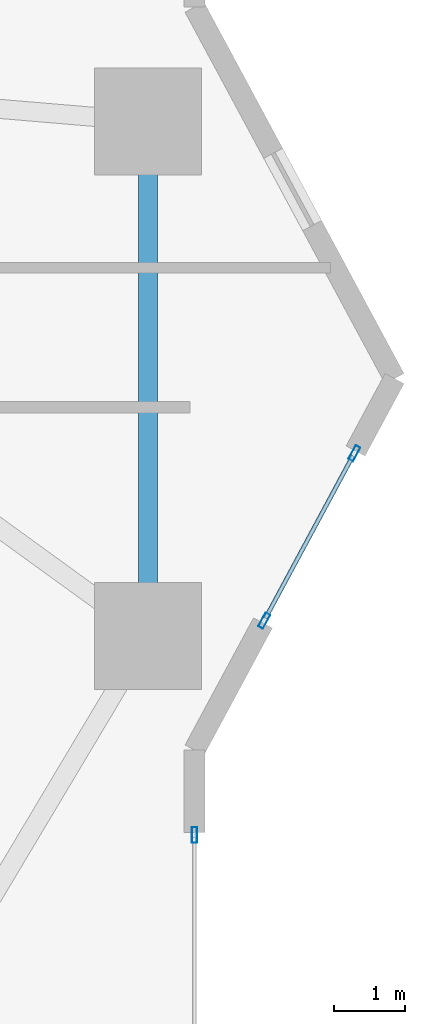
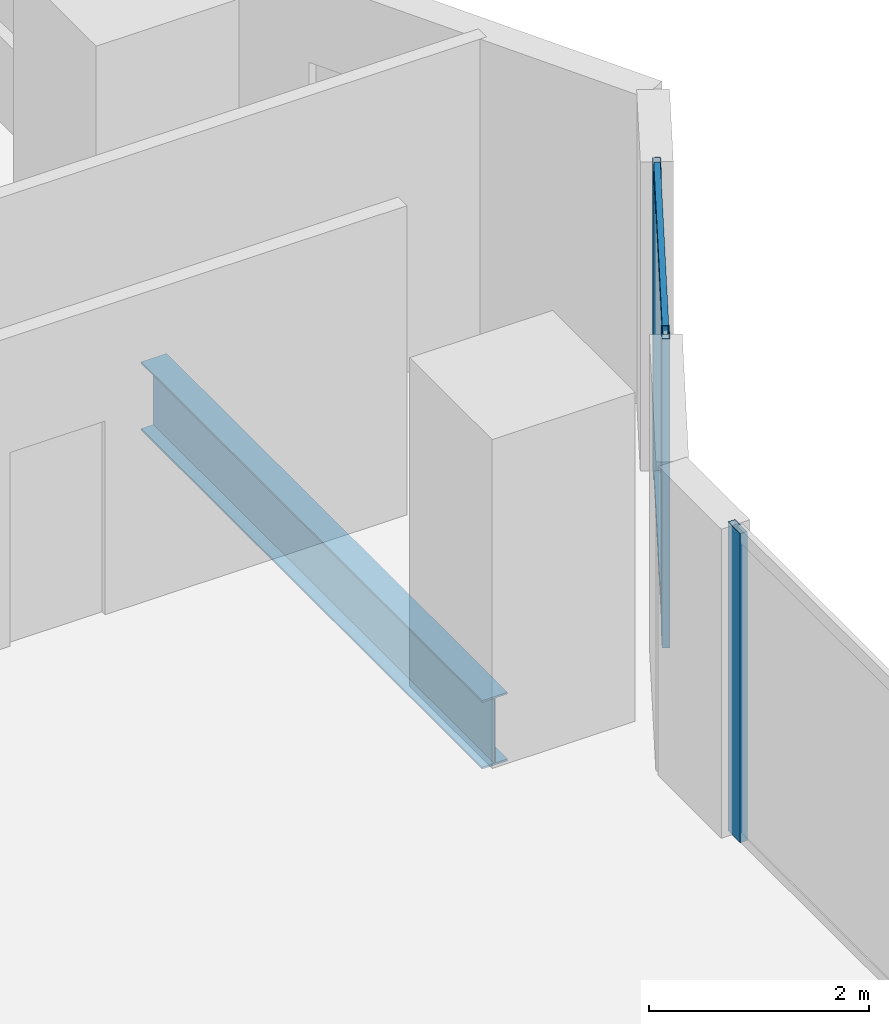
# One storey, part 12 of 30: 5 members, 1 beam, 2 elements without a shape of their own.
"""IFC4 building model written with IfcOpenShell, lengths in metres."""

from ifc_helpers import new_model, si_unit, direction, frame, origin, origin_2d, place, context, subcontext, project, spatial, hollow_rectangle, i_section, extrude, material, layer, layer_set, material_profile, profile_set, type_object, element, aggregate, save


model = new_model("IFC4")

# Units and contexts
model_context = context("Model", 3, precision=1e-05, world=origin(), true_north=direction((0.0, 1.0)))
body_context = subcontext(model_context, "Body", "Model", "MODEL_VIEW")
ifc_project = project(units=[si_unit("LENGTHUNIT", "METRE"), si_unit("AREAUNIT", "SQUARE_METRE"), si_unit("VOLUMEUNIT", "CUBIC_METRE"), si_unit("PLANEANGLEUNIT", "RADIAN"), si_unit("MASSUNIT", "GRAM", prefix="KILO")], contexts=[model_context])

# Site, building, storey
site_placement = place(None, origin())
site = spatial("IfcSite", under=ifc_project, at=site_placement, CompositionType="ELEMENT")
building_placement = place(site_placement, origin())
building = spatial("IfcBuilding", under=site, at=building_placement, Name="Zuhayl Quay Hotel", CompositionType="ELEMENT")
storey_placement = place(building_placement, frame((0.0, 0.0, 82.35009765625)))
storey = spatial("IfcBuildingStorey", under=building, at=storey_placement, Name="L20", CompositionType="ELEMENT", Elevation=82.35009765625)

# Beam
ifc_material_1 = material(Name="Steel ASTM A992 Grade 50", Category="steel")
ifc_material_profile_1 = material_profile(ifc_material_1, i_section(OverallWidth=0.26708984375, OverallDepth=0.761962890625, WebThickness=0.014404296875, FlangeThickness=0.021484375, at=origin_2d()), Name="W30X116")
ifc_profile_set_1 = profile_set([ifc_material_profile_1], Name="Steel ASTM A992 Grade 50")
beam_type = type_object("IfcBeamType", Name="BM_B1_W30X116", PredefinedType="BEAM", material=ifc_profile_set_1)
beam_placement = place(storey_placement, frame((25.050048828125, -3.10009765625, -0.60107421875), z_axis=(0.0, 1.0, 0.0), x_axis=(-1.0, 0.0, 0.0)))
element("IfcBeam", 1, at=beam_placement, inside=storey, type_object=beam_type, Name="L20 Floor Beam RG_L20_05", PredefinedType="BEAM", context=body_context, shape_type="SweptSolid", body=[
    extrude(i_section(OverallWidth=0.26708984375, OverallDepth=0.761962890625, WebThickness=0.014404296875, FlangeThickness=0.021484375, at=origin_2d()), origin(), (0.0, 0.0, 1.0), 6.2001953125),
])

# Curtain wall, members
ifc_material_2 = material(Name="Anodised Aluminium 6063-T6", Category="aluminium")
ifc_layer = layer(ifc_material_2, 0.18994140625, Name="Anodised Aluminium 6063-T6", Category="aluminium")
ifc_layer_set = layer_set([ifc_layer], Name="Anodised Aluminium 6063-T6")
curtain_wall_type = type_object("IfcCurtainWallType", Name="CW_SYS_Z1", PredefinedType="USERDEFINED", material=ifc_layer_set)
curtain_wall_1_placement = place(storey_placement, origin())
curtain_wall_1 = element("IfcCurtainWall", 2, at=curtain_wall_1_placement, inside=storey, type_object=curtain_wall_type, Name="L20 Curtain Wall ENV_L20_E13_CW1", ObjectType="UNITISED CURTAIN WALL", PredefinedType="USERDEFINED")
ifc_material_3 = material(Name="Black-anodised aluminium 6063-T6", Category="aluminium")
ifc_material_profile_2 = material_profile(ifc_material_3, hollow_rectangle(XDim=0.074951171875, YDim=0.219970703125, WallThickness=0.00390625, at=origin_2d()), Name="ALU220X75")
ifc_profile_set_2 = profile_set([ifc_material_profile_2], Name="Black-anodised aluminium 6063-T6")
member_type_1 = type_object("IfcMemberType", Name="MB_CW_MUL_220", PredefinedType="MULLION", material=ifc_profile_set_2)
member_1_placement = place(storey_placement, frame((27.93701171875, -1.04541015625, 0.0), z_axis=(0.0, 0.0, 1.0), x_axis=(0.880475795468, -0.474091102632, 0.0)))
member_1 = element("IfcMember", 3, at=member_1_placement, type_object=member_type_1, Name="CW-Z1 mullion 1", PredefinedType="MULLION", context=body_context, shape_type="SweptSolid", body=[
    extrude(hollow_rectangle(XDim=0.074951171875, YDim=0.219970703125, WallThickness=0.00390625, at=origin_2d()), origin(), (0.0, 0.0, 1.0), 3.429931640625),
])
member_2_placement = place(storey_placement, frame((26.67578125, -3.387939453125, 0.0), z_axis=(0.0, 0.0, 1.0), x_axis=(0.880475795468, -0.474091102632, 0.0)))
member_2 = element("IfcMember", 4, at=member_2_placement, type_object=member_type_1, Name="CW-Z1 mullion 2", PredefinedType="MULLION", context=body_context, shape_type="SweptSolid", body=[
    extrude(hollow_rectangle(XDim=0.074951171875, YDim=0.219970703125, WallThickness=0.00390625, at=origin_2d()), origin(), (0.0, 0.0, 1.0), 3.429931640625),
])

# Curtain wall, member
curtain_wall_2_placement = place(storey_placement, origin())
curtain_wall_2 = element("IfcCurtainWall", 5, at=curtain_wall_2_placement, inside=storey, type_object=curtain_wall_type, Name="L20 Curtain Wall ENV_L20_E14_CW1", ObjectType="UNITISED CURTAIN WALL", PredefinedType="USERDEFINED")
member_3_placement = place(storey_placement, frame((25.699951171875, -6.387451171875, 0.0), z_axis=(0.0, 0.0, 1.0), x_axis=(1.0, 0.0, 0.0)))
member_3 = element("IfcMember", 6, at=member_3_placement, type_object=member_type_1, Name="CW-Z1 mullion 1", PredefinedType="MULLION", context=body_context, shape_type="SweptSolid", body=[
    extrude(hollow_rectangle(XDim=0.074951171875, YDim=0.219970703125, WallThickness=0.00390625, at=origin_2d()), origin(), (0.0, 0.0, 1.0), 3.429931640625),
])
aggregate(curtain_wall_2, [member_3])

# Member
ifc_material_profile_3 = material_profile(ifc_material_3, hollow_rectangle(XDim=0.06005859375, YDim=0.14990234375, WallThickness=0.00341796875, at=origin_2d()), Name="ALU150X60")
ifc_profile_set_3 = profile_set([ifc_material_profile_3], Name="Black-anodised aluminium 6063-T6")
member_type_2 = type_object("IfcMemberType", Name="MB_CW_TRN_150", PredefinedType="USERDEFINED", material=ifc_profile_set_3)
member_4_placement = place(storey_placement, frame((27.919189453125, -1.07861328125, 0.02978515625), z_axis=(-0.474054771703, -0.880495356845, 0.0), x_axis=(0.880495356845, -0.474054771703, 0.0)))
member_4 = element("IfcMember", 7, at=member_4_placement, type_object=member_type_2, Name="CW-Z1 transom 1.1", ObjectType="TRANSOM", PredefinedType="USERDEFINED", context=body_context, shape_type="SweptSolid", body=[
    extrude(hollow_rectangle(XDim=0.06005859375, YDim=0.14990234375, WallThickness=0.00341796875, at=origin_2d()), origin(), (0.0, 0.0, 1.0), 2.585205078125),
])

member_5_placement = place(storey_placement, frame((27.919189453125, -1.07861328125, 3.39990234375), z_axis=(-0.474054771703, -0.880495356845, 0.0), x_axis=(0.880495356845, -0.474054771703, 0.0)))
member_5 = element("IfcMember", 8, at=member_5_placement, type_object=member_type_2, Name="CW-Z1 transom 1.2", ObjectType="TRANSOM", PredefinedType="USERDEFINED", context=body_context, shape_type="SweptSolid", body=[
    extrude(hollow_rectangle(XDim=0.06005859375, YDim=0.14990234375, WallThickness=0.00341796875, at=origin_2d()), origin(), (0.0, 0.0, 1.0), 2.585205078125),
])

aggregate(curtain_wall_1, [member_1, member_2, member_4, member_5])

save(model, "model.ifc")
